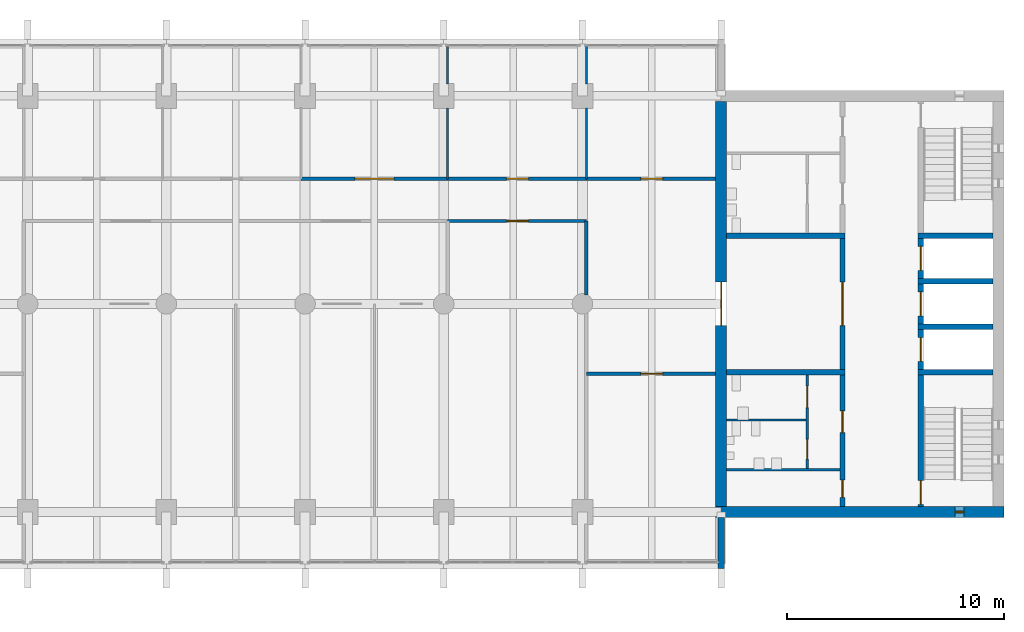
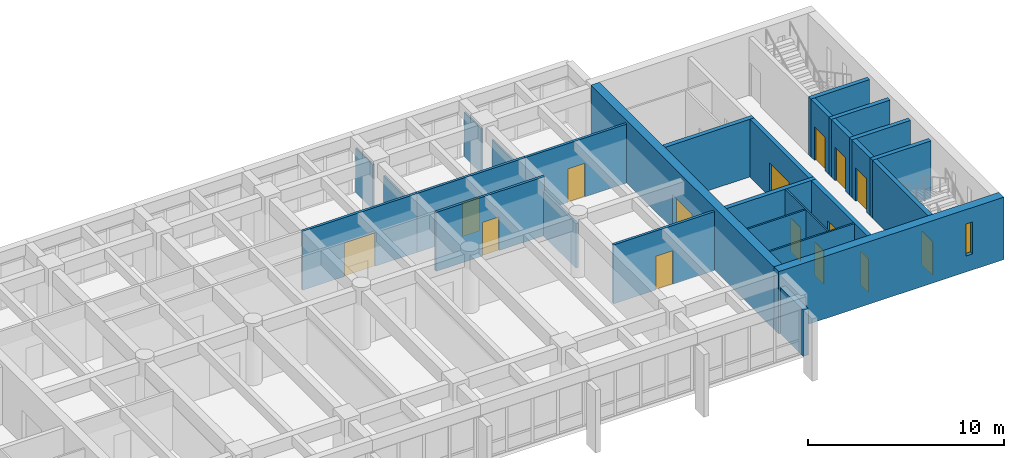
# One storey, part 11 of 15: 28 walls, 15 doors, 1 window, 16 openings.
"""IFC4 building model written with IfcOpenShell, lengths in metres."""

from ifc_helpers import new_model, si_unit, direction, frame, frame_2d, origin, place, context, subcontext, project, spatial, rectangle, extrude, material, layer, layer_set, type_object, element, fill, save


model = new_model("IFC4")

# Units and contexts
model_context = context("Model", 3, precision=1e-05, world=origin(), true_north=direction((0.0, 1.0)))
body_context = subcontext(model_context, "Body", "Model", "MODEL_VIEW")
ifc_project = project(units=[si_unit("LENGTHUNIT", "METRE"), si_unit("AREAUNIT", "SQUARE_METRE"), si_unit("VOLUMEUNIT", "CUBIC_METRE"), si_unit("PLANEANGLEUNIT", "RADIAN"), si_unit("MASSUNIT", "GRAM", prefix="KILO")], contexts=[model_context])

# Site, building, storey
site_placement = place(None, origin())
site = spatial("IfcSite", under=ifc_project, at=site_placement, CompositionType="ELEMENT")
building_placement = place(site_placement, origin())
building = spatial("IfcBuilding", under=site, at=building_placement, Name="Fogon Plaza Fire Station and Headquarters Tower", CompositionType="ELEMENT")
storey_placement = place(building_placement, frame((0.0, 0.0, 40.5)))
storey = spatial("IfcBuildingStorey", under=building, at=storey_placement, Name="L10", CompositionType="ELEMENT", Elevation=40.5)

# Walls
ifc_material_1 = material(Name="Concrete C40", Category="concrete")
ifc_layer_1 = layer(ifc_material_1, 0.25)
ifc_layer_set_1 = layer_set([ifc_layer_1], Name="Concrete C40")
wall_type_1 = type_object("IfcWallType", Name="Core Wall RC 250", PredefinedType="SOLIDWALL", material=ifc_layer_set_1)
for number, where, z_axis, x_axis, name in (
    (1, (76.550048828125, 40.050048828125, 0.0), (0.0, 0.0, 1.0), (-1.0, 0.0, 0.0), "Core B shaft wall"),
    (2, (76.550048828125, 42.14990234375, 0.0), (0.0, 0.0, 1.0), (-1.0, 0.0, 0.0), "Core B shaft wall"),
    (3, (76.550048828125, 44.25, 0.0), (0.0, 0.0, 1.0), (-1.0, 0.0, 0.0), "Core B shaft wall"),
    (4, (76.550048828125, 46.35009765625, 0.0), (0.0, 0.0, 1.0), (-1.0, 0.0, 0.0), "Core B shaft wall"),
):
    element("IfcWall", number, at=place(storey_placement, frame(where, z_axis=z_axis, x_axis=x_axis)), inside=storey, type_object=wall_type_1, Name=name, PredefinedType="SOLIDWALL", context=body_context, shape_type="SweptSolid", body=[
        extrude(rectangle(XDim=3.47509765625, YDim=0.25, at=frame_2d((1.737548828125, 0.0))), origin(), (0.0, 0.0, 1.0), 3.60009765625),
    ])

# Wall, opening, door
wall_1_placement = place(storey_placement, frame((73.199951171875, 33.85009765625, 0.0), z_axis=(0.0, 0.0, 1.0), x_axis=(0.0, 1.0, 0.0)))
wall_1 = element("IfcWall", 5, at=wall_1_placement, inside=storey, type_object=wall_type_1, Name="Core B shaft wall", PredefinedType="SOLIDWALL", context=body_context, shape_type="SweptSolid", body=[
    extrude(rectangle(XDim=6.074951171875, YDim=0.25, at=frame_2d((3.03759765625, 0.0))), origin(), (0.0, 0.0, 1.0), 3.60009765625),
])
opening_1_placement = place(wall_1_placement, frame((0.10009765625, 0.0, 0.0)))
opening_1 = element("IfcOpeningElement", 6, at=opening_1_placement, cuts=wall_1, Name="Opening L10-D15", PredefinedType="OPENING", context=body_context, shape_type="SweptSolid", body=[
    extrude(rectangle(XDim=1.10009765625, YDim=2.10009765625, at=frame_2d((0.550048828125, 1.050048828125))), frame((0.0, 0.135009765625, 0.0), z_axis=(0.0, -1.0, 0.0), x_axis=(1.0, 0.0, 0.0)), (0.0, 0.0, 1.0), 0.27001953125),
])
ifc_material_2 = material(Name="Steel Fire Door Leaf", Category="steel")
door_type_1 = type_object("IfcDoorType", Name="Stair Door Single 1100x2100", OperationType="SINGLE_SWING_LEFT", PredefinedType="DOOR", material=ifc_material_2)
door_1_placement = place(opening_1_placement, frame((1.10009765625, 0.0, 0.0), z_axis=(0.0, 0.0, 1.0), x_axis=(-1.0, 0.0, 0.0)))
door_1 = element("IfcDoor", 7, at=door_1_placement, inside=storey, type_object=door_type_1, Name="Stair door ST3", OperationType="SINGLE_SWING_RIGHT", OverallHeight=2.10009765625, OverallWidth=1.10009765625, PredefinedType="DOOR", context=body_context, shape_type="SweptSolid", body=[
    extrude(rectangle(XDim=1.10009765625, YDim=2.10009765625, at=frame_2d((0.550048828125, 1.050048828125))), frame((0.0, 0.02490234375, 0.0), z_axis=(0.0, -1.0, 0.0), x_axis=(1.0, 0.0, 0.0)), (0.0, 0.0, 1.0), 0.050048828125),
])
fill(opening_1, door_1)

wall_2_placement = place(storey_placement, frame((73.199951171875, 40.175048828125, 0.0), z_axis=(0.0, 0.0, 1.0), x_axis=(0.0, 1.0, 0.0)))
wall_2 = element("IfcWall", 8, at=wall_2_placement, inside=storey, type_object=wall_type_1, Name="Core B shaft wall", PredefinedType="SOLIDWALL", context=body_context, shape_type="SweptSolid", body=[
    extrude(rectangle(XDim=1.849853515625, YDim=0.25, at=frame_2d((0.9248046875, 0.0))), origin(), (0.0, 0.0, 1.0), 3.60009765625),
])
opening_2_placement = place(wall_2_placement, frame((0.375, 0.0, 0.0)))
opening_2 = element("IfcOpeningElement", 9, at=opening_2_placement, cuts=wall_2, Name="Opening L10-D17", PredefinedType="OPENING", context=body_context, shape_type="SweptSolid", body=[
    extrude(rectangle(XDim=1.10009765625, YDim=2.10009765625, at=frame_2d((0.550048828125, 1.050048828125))), frame((0.0, 0.135009765625, 0.0), z_axis=(0.0, -1.0, 0.0), x_axis=(1.0, 0.0, 0.0)), (0.0, 0.0, 1.0), 0.27001953125),
])
ifc_material_3 = material(Name="Stainless Steel", Category="steel")
door_type_2 = type_object("IfcDoorType", Name="Lift Landing Door 1100x2100", OperationType="SLIDING_TO_LEFT", PredefinedType="DOOR", material=ifc_material_3)
door_2_placement = place(opening_2_placement, origin())
door_2 = element("IfcDoor", 10, at=door_2_placement, inside=storey, type_object=door_type_2, Name="Lift LP3 landing door", OperationType="SLIDING_TO_LEFT", OverallHeight=2.10009765625, OverallWidth=1.10009765625, PredefinedType="DOOR", context=body_context, shape_type="SweptSolid", body=[
    extrude(rectangle(XDim=1.10009765625, YDim=2.10009765625, at=frame_2d((0.550048828125, 1.050048828125))), frame((0.0, 0.02490234375, 0.0), z_axis=(0.0, -1.0, 0.0), x_axis=(1.0, 0.0, 0.0)), (0.0, 0.0, 1.0), 0.050048828125),
])
fill(opening_2, door_2)

wall_3_placement = place(storey_placement, frame((73.199951171875, 42.27490234375, 0.0), z_axis=(0.0, 0.0, 1.0), x_axis=(0.0, 1.0, 0.0)))
wall_3 = element("IfcWall", 11, at=wall_3_placement, inside=storey, type_object=wall_type_1, Name="Core B shaft wall", PredefinedType="SOLIDWALL", context=body_context, shape_type="SweptSolid", body=[
    extrude(rectangle(XDim=1.85009765625, YDim=0.25, at=frame_2d((0.925048828125, 0.0))), origin(), (0.0, 0.0, 1.0), 3.60009765625),
])
opening_3_placement = place(wall_3_placement, frame((0.375, 0.0, 0.0)))
opening_3 = element("IfcOpeningElement", 12, at=opening_3_placement, cuts=wall_3, Name="Opening L10-D18", PredefinedType="OPENING", context=body_context, shape_type="SweptSolid", body=[
    extrude(rectangle(XDim=1.10009765625, YDim=2.10009765625, at=frame_2d((0.550048828125, 1.050048828125))), frame((0.0, 0.135009765625, 0.0), z_axis=(0.0, -1.0, 0.0), x_axis=(1.0, 0.0, 0.0)), (0.0, 0.0, 1.0), 0.27001953125),
])
door_3_placement = place(opening_3_placement, origin())
door_3 = element("IfcDoor", 13, at=door_3_placement, inside=storey, type_object=door_type_2, Name="Lift LP4 landing door", OperationType="SLIDING_TO_LEFT", OverallHeight=2.10009765625, OverallWidth=1.10009765625, PredefinedType="DOOR", context=body_context, shape_type="SweptSolid", body=[
    extrude(rectangle(XDim=1.10009765625, YDim=2.10009765625, at=frame_2d((0.550048828125, 1.050048828125))), frame((0.0, 0.02490234375, 0.0), z_axis=(0.0, -1.0, 0.0), x_axis=(1.0, 0.0, 0.0)), (0.0, 0.0, 1.0), 0.050048828125),
])
fill(opening_3, door_3)

wall_4_placement = place(storey_placement, frame((73.199951171875, 44.375, 0.0), z_axis=(0.0, 0.0, 1.0), x_axis=(0.0, 1.0, 0.0)))
wall_4 = element("IfcWall", 14, at=wall_4_placement, inside=storey, type_object=wall_type_1, Name="Core B shaft wall", PredefinedType="SOLIDWALL", context=body_context, shape_type="SweptSolid", body=[
    extrude(rectangle(XDim=1.85009765625, YDim=0.25, at=frame_2d((0.925048828125, 0.0))), origin(), (0.0, 0.0, 1.0), 3.60009765625),
])
opening_4_placement = place(wall_4_placement, frame((0.375, 0.0, 0.0)))
opening_4 = element("IfcOpeningElement", 15, at=opening_4_placement, cuts=wall_4, Name="Opening L10-D19", PredefinedType="OPENING", context=body_context, shape_type="SweptSolid", body=[
    extrude(rectangle(XDim=1.10009765625, YDim=2.10009765625, at=frame_2d((0.550048828125, 1.050048828125))), frame((0.0, 0.135009765625, 0.0), z_axis=(0.0, -1.0, 0.0), x_axis=(1.0, 0.0, 0.0)), (0.0, 0.0, 1.0), 0.27001953125),
])
door_4_placement = place(opening_4_placement, origin())
door_4 = element("IfcDoor", 16, at=door_4_placement, inside=storey, type_object=door_type_2, Name="Lift FL2 landing door", OperationType="SLIDING_TO_LEFT", OverallHeight=2.10009765625, OverallWidth=1.10009765625, PredefinedType="DOOR", context=body_context, shape_type="SweptSolid", body=[
    extrude(rectangle(XDim=1.10009765625, YDim=2.10009765625, at=frame_2d((0.550048828125, 1.050048828125))), frame((0.0, 0.02490234375, 0.0), z_axis=(0.0, -1.0, 0.0), x_axis=(1.0, 0.0, 0.0)), (0.0, 0.0, 1.0), 0.050048828125),
])
fill(opening_4, door_4)

# Wall, openings, doors
wall_5_placement = place(storey_placement, frame((69.60009765625, 33.85009765625, 0.0), z_axis=(0.0, 0.0, 1.0), x_axis=(0.0, 1.0, 0.0)))
wall_5 = element("IfcWall", 17, at=wall_5_placement, inside=storey, type_object=wall_type_1, Name="Core B shaft wall", PredefinedType="SOLIDWALL", context=body_context, shape_type="SweptSolid", body=[
    extrude(rectangle(XDim=6.074951171875, YDim=0.25, at=frame_2d((3.03759765625, 0.0))), origin(), (0.0, 0.0, 1.0), 3.60009765625),
])
opening_5_placement = place(wall_5_placement, frame((0.425048828125, 0.0, 0.0)))
opening_5 = element("IfcOpeningElement", 18, at=opening_5_placement, cuts=wall_5, Name="Opening L10-D22", PredefinedType="OPENING", context=body_context, shape_type="SweptSolid", body=[
    extrude(rectangle(XDim=0.800048828125, YDim=2.10009765625, at=frame_2d((0.39990234375, 1.050048828125))), frame((0.0, 0.135009765625, 0.0), z_axis=(0.0, -1.0, 0.0), x_axis=(1.0, 0.0, 0.0)), (0.0, 0.0, 1.0), 0.27001953125),
])
opening_6_placement = place(wall_5_placement, frame((3.41259765625, 0.0, 0.0)))
opening_6 = element("IfcOpeningElement", 19, at=opening_6_placement, cuts=wall_5, Name="Opening L10-D23", PredefinedType="OPENING", context=body_context, shape_type="SweptSolid", body=[
    extrude(rectangle(XDim=1.0, YDim=2.10009765625, at=frame_2d((0.5, 1.050048828125))), frame((0.0, 0.135009765625, 0.0), z_axis=(0.0, -1.0, 0.0), x_axis=(1.0, 0.0, 0.0)), (0.0, 0.0, 1.0), 0.27001953125),
])
ifc_material_4 = material(Name="Timber Door Leaf", Category="wood")
door_type_3 = type_object("IfcDoorType", Name="Cleaner Store Single 800x2100", OperationType="SINGLE_SWING_LEFT", PredefinedType="DOOR", material=ifc_material_4)
door_5_placement = place(opening_5_placement, origin())
door_5 = element("IfcDoor", 20, at=door_5_placement, inside=storey, type_object=door_type_3, Name="Cleaner's store B door", OperationType="SINGLE_SWING_RIGHT", OverallHeight=2.10009765625, OverallWidth=0.800048828125, PredefinedType="DOOR", context=body_context, shape_type="SweptSolid", body=[
    extrude(rectangle(XDim=0.800048828125, YDim=2.10009765625, at=frame_2d((0.39990234375, 1.050048828125))), frame((0.0, 0.02490234375, 0.0), z_axis=(0.0, -1.0, 0.0), x_axis=(1.0, 0.0, 0.0)), (0.0, 0.0, 1.0), 0.050048828125),
])
fill(opening_5, door_5)
ifc_material_5 = material(Name="Timber fire door", Category="wood")
door_type_4 = type_object("IfcDoorType", Name="WC Lobby Single 1000x2100", OperationType="SINGLE_SWING_LEFT", PredefinedType="DOOR", material=ifc_material_5)
door_6_placement = place(opening_6_placement, origin())
door_6 = element("IfcDoor", 21, at=door_6_placement, inside=storey, type_object=door_type_4, Name="Men's WC lobby B door", OperationType="SINGLE_SWING_LEFT", OverallHeight=2.10009765625, OverallWidth=1.0, PredefinedType="DOOR", context=body_context, shape_type="SweptSolid", body=[
    extrude(rectangle(XDim=1.0, YDim=2.10009765625, at=frame_2d((0.5, 1.050048828125))), frame((0.0, 0.02490234375, 0.0), z_axis=(0.0, -1.0, 0.0), x_axis=(1.0, 0.0, 0.0)), (0.0, 0.0, 1.0), 0.050048828125),
])
fill(opening_6, door_6)

# Wall, opening, door
wall_6_placement = place(storey_placement, frame((69.60009765625, 40.175048828125, 0.0), z_axis=(0.0, 0.0, 1.0), x_axis=(0.0, 1.0, 0.0)))
wall_6 = element("IfcWall", 22, at=wall_6_placement, inside=storey, type_object=wall_type_1, Name="Core B shaft wall", PredefinedType="SOLIDWALL", context=body_context, shape_type="SweptSolid", body=[
    extrude(rectangle(XDim=6.050048828125, YDim=0.25, at=frame_2d((3.02490234375, 0.0))), origin(), (0.0, 0.0, 1.0), 3.60009765625),
])
opening_7_placement = place(wall_6_placement, frame((2.02490234375, 0.0, 0.0)))
opening_7 = element("IfcOpeningElement", 23, at=opening_7_placement, cuts=wall_6, Name="Opening L10-D20", PredefinedType="OPENING", context=body_context, shape_type="SweptSolid", body=[
    extrude(rectangle(XDim=2.0, YDim=2.10009765625, at=frame_2d((1.0, 1.050048828125))), frame((0.0, 0.135009765625, 0.0), z_axis=(0.0, -1.0, 0.0), x_axis=(1.0, 0.0, 0.0)), (0.0, 0.0, 1.0), 0.27001953125),
])
ifc_material_6 = material(Name="Steel Fire Door Leaf", Category="steel")
door_type_5 = type_object("IfcDoorType", Name="Vestibule Double 2000x2100", OperationType="DOUBLE_DOOR_SINGLE_SWING", PredefinedType="DOOR", material=ifc_material_6)
door_7_placement = place(opening_7_placement, origin())
door_7 = element("IfcDoor", 24, at=door_7_placement, inside=storey, type_object=door_type_5, Name="Vestibule B door", OperationType="DOUBLE_DOOR_SINGLE_SWING", OverallHeight=2.10009765625, OverallWidth=2.0, PredefinedType="DOOR", context=body_context, shape_type="SweptSolid", body=[
    extrude(rectangle(XDim=2.0, YDim=2.10009765625, at=frame_2d((1.0, 1.050048828125))), frame((0.0, 0.02490234375, 0.0), z_axis=(0.0, -1.0, 0.0), x_axis=(1.0, 0.0, 0.0)), (0.0, 0.0, 1.0), 0.050048828125),
])
fill(opening_7, door_7)

# Walls
for number, where, z_axis, x_axis, name in (
    (25, (69.72509765625, 40.050048828125, 0.0), (0.0, 0.0, 1.0), (-1.0, 0.0, 0.0), "Core B shaft wall"),
    (26, (69.72509765625, 46.35009765625, 0.0), (0.0, 0.0, 1.0), (-1.0, 0.0, 0.0), "Core B shaft wall"),
):
    element("IfcWall", number, at=place(storey_placement, frame(where, z_axis=z_axis, x_axis=x_axis)), inside=storey, type_object=wall_type_1, Name=name, PredefinedType="SOLIDWALL", context=body_context, shape_type="SweptSolid", body=[
        extrude(rectangle(XDim=5.47509765625, YDim=0.25, at=frame_2d((2.737548828125, 0.0))), origin(), (0.0, 0.0, 1.0), 3.60009765625),
    ])
ifc_material_7 = material(Name="Concrete C40", Category="concrete")
ifc_layer_2 = layer(ifc_material_7, 0.300048828125)
ifc_layer_set_2 = layer_set([ifc_layer_2], Name="Concrete C40")
wall_type_2 = type_object("IfcWallType", Name="Fair-faced RC Return Panel 300", PredefinedType="SOLIDWALL", material=ifc_layer_set_2)
wall_7_placement = place(storey_placement, frame((64.0, 31.0, 0.0), z_axis=(0.0, 0.0, 1.0), x_axis=(0.0, 1.0, 0.0)))
element("IfcWall", 27, at=wall_7_placement, inside=storey, type_object=wall_type_2, Name="Bar end return ES L10", PredefinedType="SOLIDWALL", context=body_context, shape_type="SweptSolid", body=[
    extrude(rectangle(XDim=2.35009765625, YDim=0.300048828125, at=frame_2d((1.175048828125, 0.0))), origin(), (0.0, 0.0, 1.0), 2.8798828125),
])
ifc_material_8 = material(Name="Blockwork", Category="masonry")
ifc_layer_3 = layer(ifc_material_8, 0.10009765625)
ifc_layer_set_3 = layer_set([ifc_layer_3], Name="Blockwork")
wall_type_3 = type_object("IfcWallType", Name="Partition Blockwork 100", PredefinedType="PARTITIONING", material=ifc_layer_set_3)
wall_8_placement = place(storey_placement, frame((69.47509765625, 35.550048828125, 0.0), z_axis=(0.0, 0.0, 1.0), x_axis=(-1.0, 0.0, 0.0)))
element("IfcWall", 28, at=wall_8_placement, inside=storey, type_object=wall_type_3, Name="Cleaner's store partition", PredefinedType="PARTITIONING", context=body_context, shape_type="SweptSolid", body=[
    extrude(rectangle(XDim=5.22509765625, YDim=0.10009765625, at=frame_2d((2.612548828125, 0.0))), origin(), (0.0, 0.0, 1.0), 3.60009765625),
])

# Wall, openings, doors
wall_9_placement = place(storey_placement, frame((67.97509765625, 35.60009765625, 0.0), z_axis=(0.0, 0.0, 1.0), x_axis=(0.0, 1.0, 0.0)))
wall_9 = element("IfcWall", 29, at=wall_9_placement, inside=storey, type_object=wall_type_3, Name="WC block partition", PredefinedType="PARTITIONING", context=body_context, shape_type="SweptSolid", body=[
    extrude(rectangle(XDim=4.324951171875, YDim=0.10009765625, at=frame_2d((2.16259765625, 0.0))), origin(), (0.0, 0.0, 1.0), 3.60009765625),
])
opening_8_placement = place(wall_9_placement, frame((0.449951171875, 0.0, 0.0)))
opening_8 = element("IfcOpeningElement", 30, at=opening_8_placement, cuts=wall_9, Name="Opening L10-D24", PredefinedType="OPENING", context=body_context, shape_type="SweptSolid", body=[
    extrude(rectangle(XDim=0.89990234375, YDim=2.10009765625, at=frame_2d((0.449951171875, 1.050048828125))), frame((0.0, 0.06005859375, 0.0), z_axis=(0.0, -1.0, 0.0), x_axis=(1.0, 0.0, 0.0)), (0.0, 0.0, 1.0), 0.1201171875),
])
opening_9_placement = place(wall_9_placement, frame((2.8125, 0.0, 0.0)))
opening_9 = element("IfcOpeningElement", 31, at=opening_9_placement, cuts=wall_9, Name="Opening L10-D25", PredefinedType="OPENING", context=body_context, shape_type="SweptSolid", body=[
    extrude(rectangle(XDim=1.0, YDim=2.10009765625, at=frame_2d((0.5, 1.050048828125))), frame((0.0, 0.06005859375, 0.0), z_axis=(0.0, -1.0, 0.0), x_axis=(1.0, 0.0, 0.0)), (0.0, 0.0, 1.0), 0.1201171875),
])
ifc_material_9 = material(Name="Timber Door Leaf", Category="wood")
door_type_6 = type_object("IfcDoorType", Name="Accessible WC Single 1000x2100", OperationType="SINGLE_SWING_LEFT", PredefinedType="DOOR", material=ifc_material_9)
door_8_placement = place(opening_9_placement, origin())
door_8 = element("IfcDoor", 32, at=door_8_placement, inside=storey, type_object=door_type_6, Name="Accessible WC B door", OperationType="SINGLE_SWING_LEFT", OverallHeight=2.10009765625, OverallWidth=1.0, PredefinedType="DOOR", context=body_context, shape_type="SweptSolid", body=[
    extrude(rectangle(XDim=1.0, YDim=2.10009765625, at=frame_2d((0.5, 1.050048828125))), frame((0.0, 0.02490234375, 0.0), z_axis=(0.0, -1.0, 0.0), x_axis=(1.0, 0.0, 0.0)), (0.0, 0.0, 1.0), 0.050048828125),
])
fill(opening_9, door_8)
ifc_material_10 = material(Name="Timber Door Leaf", Category="wood")
door_type_7 = type_object("IfcDoorType", Name="WC Single 900x2100", OperationType="SINGLE_SWING_LEFT", PredefinedType="DOOR", material=ifc_material_10)
door_9_placement = place(opening_8_placement, origin())
door_9 = element("IfcDoor", 33, at=door_9_placement, inside=storey, type_object=door_type_7, Name="Men's WC B door", OperationType="SINGLE_SWING_LEFT", OverallHeight=2.10009765625, OverallWidth=0.89990234375, PredefinedType="DOOR", context=body_context, shape_type="SweptSolid", body=[
    extrude(rectangle(XDim=0.89990234375, YDim=2.10009765625, at=frame_2d((0.449951171875, 1.050048828125))), frame((0.0, 0.02490234375, 0.0), z_axis=(0.0, -1.0, 0.0), x_axis=(1.0, 0.0, 0.0)), (0.0, 0.0, 1.0), 0.050048828125),
])
fill(opening_8, door_9)

# Wall
wall_10_placement = place(storey_placement, frame((67.925048828125, 37.85009765625, 0.0), z_axis=(0.0, 0.0, 1.0), x_axis=(-1.0, 0.0, 0.0)))
element("IfcWall", 34, at=wall_10_placement, inside=storey, type_object=wall_type_3, Name="WC block partition", PredefinedType="PARTITIONING", context=body_context, shape_type="SweptSolid", body=[
    extrude(rectangle(XDim=3.675048828125, YDim=0.10009765625, at=frame_2d((1.83740234375, 0.0))), origin(), (0.0, 0.0, 1.0), 3.60009765625),
])

# Wall, opening, window
ifc_material_11 = material(Name="Concrete C40", Category="concrete")
ifc_layer_4 = layer(ifc_material_11, 0.5)
ifc_layer_set_4 = layer_set([ifc_layer_4], Name="Concrete C40")
wall_type_4 = type_object("IfcWallType", Name="Shear wall 500 SW50", PredefinedType="SHEAR", material=ifc_layer_set_4)
wall_11_placement = place(storey_placement, frame((63.75, 33.60009765625, 0.0), z_axis=(0.0, 0.0, 1.0), x_axis=(1.0, 0.0, 0.0)))
wall_11 = element("IfcWall", 35, at=wall_11_placement, inside=storey, type_object=wall_type_4, Name="wall-coreB-S-L10", PredefinedType="SHEAR", context=body_context, shape_type="SweptSolid", body=[
    extrude(rectangle(XDim=13.300048828125, YDim=0.5, at=frame_2d((6.64990234375, 0.0))), origin(), (0.0, 0.0, 1.0), 3.89990234375),
])
opening_10_placement = place(wall_11_placement, frame((11.050048828125, 0.0, 1.0)))
opening_10 = element("IfcOpeningElement", 36, at=opening_10_placement, cuts=wall_11, Name="Opening WS1", PredefinedType="OPENING", context=body_context, shape_type="SweptSolid", body=[
    extrude(rectangle(XDim=0.39990234375, YDim=2.0, at=frame_2d((0.199951171875, 1.0))), frame((0.0, 0.260009765625, 0.0), z_axis=(0.0, -1.0, 0.0), x_axis=(1.0, 0.0, 0.0)), (0.0, 0.0, 1.0), 0.52001953125),
])
ifc_material_12 = material(Name="Aluminium framed double glazing", Category="aluminium")
window_type = type_object("IfcWindowType", Name="Slit Window WS1 400x2000", PartitioningType="SINGLE_PANEL", PredefinedType="WINDOW", material=ifc_material_12)
window_placement = place(opening_10_placement, origin())
window = element("IfcWindow", 37, at=window_placement, inside=storey, type_object=window_type, Name="Slit window B5 L10", OverallHeight=2.0, OverallWidth=0.39990234375, PartitioningType="SINGLE_PANEL", PredefinedType="WINDOW", context=body_context, shape_type="SweptSolid", body=[
    extrude(rectangle(XDim=0.39990234375, YDim=2.0, at=frame_2d((0.199951171875, 1.0))), frame((0.0, 0.030029296875, 0.0), z_axis=(0.0, -1.0, 0.0), x_axis=(1.0, 0.0, 0.0)), (0.0, 0.0, 1.0), 0.06005859375),
])
fill(opening_10, window)

# Wall, opening, door
wall_12_placement = place(storey_placement, frame((64.0, 33.85009765625, 0.0), z_axis=(0.0, 0.0, 1.0), x_axis=(0.0, 1.0, 0.0)))
wall_12 = element("IfcWall", 38, at=wall_12_placement, inside=storey, type_object=wall_type_4, Name="wall-coreB-W-L10", PredefinedType="SHEAR", context=body_context, shape_type="SweptSolid", body=[
    extrude(rectangle(XDim=18.699951171875, YDim=0.5, at=frame_2d((9.35009765625, 0.0))), origin(), (0.0, 0.0, 1.0), 3.89990234375),
])
opening_11_placement = place(wall_12_placement, frame((8.35009765625, 0.0, 0.0)))
opening_11 = element("IfcOpeningElement", 39, at=opening_11_placement, cuts=wall_12, Name="Opening L10-D21", PredefinedType="OPENING", context=body_context, shape_type="SweptSolid", body=[
    extrude(rectangle(XDim=2.0, YDim=2.10009765625, at=frame_2d((1.0, 1.050048828125))), frame((0.0, 0.260009765625, 0.0), z_axis=(0.0, -1.0, 0.0), x_axis=(1.0, 0.0, 0.0)), (0.0, 0.0, 1.0), 0.52001953125),
])
door_10_placement = place(opening_11_placement, frame((2.0, 0.0, 0.0), z_axis=(0.0, 0.0, 1.0), x_axis=(-1.0, 0.0, 0.0)))
door_10 = element("IfcDoor", 40, at=door_10_placement, inside=storey, type_object=door_type_5, Name="Vestibule B door to the office zone", OperationType="DOUBLE_DOOR_SINGLE_SWING", OverallHeight=2.10009765625, OverallWidth=2.0, PredefinedType="DOOR", context=body_context, shape_type="SweptSolid", body=[
    extrude(rectangle(XDim=2.0, YDim=2.10009765625, at=frame_2d((1.0, 1.050048828125))), frame((0.0, 0.02490234375, 0.0), z_axis=(0.0, -1.0, 0.0), x_axis=(1.0, 0.0, 0.0)), (0.0, 0.0, 1.0), 0.050048828125),
])
fill(opening_11, door_10)

ifc_material_13 = material(Name="Gypsum board on steel stud", Category="steel")
ifc_layer_5 = layer(ifc_material_13, 0.14990234375)
ifc_layer_set_5 = layer_set([ifc_layer_5], Name="Gypsum board on steel stud")
wall_type_5 = type_object("IfcWallType", Name="Tower corridor partition 150 EI 60", PredefinedType="PARTITIONING", material=ifc_layer_set_5)
wall_13_placement = place(storey_placement, frame((51.3798828125, 47.02490234375, 0.0), z_axis=(0.0, 0.0, 1.0), x_axis=(1.0, 0.0, 0.0)))
wall_13 = element("IfcWall", 41, at=wall_13_placement, inside=storey, type_object=wall_type_5, Name="part-L10-04", PredefinedType="PARTITIONING", context=body_context, shape_type="SweptSolid", body=[
    extrude(rectangle(XDim=6.400146484375, YDim=0.14990234375, at=frame_2d((3.2001953125, 0.0))), origin(), (0.0, 0.0, 1.0), 3.679931640625),
])
opening_12_placement = place(wall_13_placement, frame((2.719970703125, 0.0, 0.0)))
opening_12 = element("IfcOpeningElement", 42, at=opening_12_placement, cuts=wall_13, Name="Opening L10-D31", PredefinedType="OPENING", context=body_context, shape_type="SweptSolid", body=[
    extrude(rectangle(XDim=1.0, YDim=2.10009765625, at=frame_2d((0.5, 1.050048828125))), frame((0.0, 0.0849609375, 0.0), z_axis=(0.0, -1.0, 0.0), x_axis=(1.0, 0.0, 0.0)), (0.0, 0.0, 1.0), 0.169921875),
])
ifc_material_14 = material(Name="Fire rated glazed door")
door_type_8 = type_object("IfcDoorType", Name="Tower glazed fire door single 1000 EI 20", OperationType="SINGLE_SWING_LEFT", PredefinedType="DOOR", material=ifc_material_14)
door_11_placement = place(opening_12_placement, frame((1.0, 0.0, 0.0), z_axis=(0.0, 0.0, 1.0), x_axis=(-1.0, 0.0, 0.0)))
door_11 = element("IfcDoor", 43, at=door_11_placement, inside=storey, type_object=door_type_8, Name="door-L10-03", OperationType="SINGLE_SWING_RIGHT", OverallHeight=2.10009765625, OverallWidth=1.0, PredefinedType="DOOR", context=body_context, shape_type="SweptSolid", body=[
    extrude(rectangle(XDim=1.0, YDim=2.10009765625, at=frame_2d((0.5, 1.050048828125))), frame((0.0, 0.02490234375, 0.0), z_axis=(0.0, -1.0, 0.0), x_axis=(1.0, 0.0, 0.0)), (0.0, 0.0, 1.0), 0.050048828125),
])
fill(opening_12, door_11)

wall_14_placement = place(storey_placement, frame((44.6201171875, 48.97509765625, 0.0), z_axis=(0.0, 0.0, 1.0), x_axis=(1.0, 0.0, 0.0)))
wall_14 = element("IfcWall", 44, at=wall_14_placement, inside=storey, type_object=wall_type_5, Name="part-L10-09", PredefinedType="PARTITIONING", context=body_context, shape_type="SweptSolid", body=[
    extrude(rectangle(XDim=6.759765625, YDim=0.14990234375, at=frame_2d((3.3798828125, 0.0))), origin(), (0.0, 0.0, 1.0), 3.679931640625),
])
opening_13_placement = place(wall_14_placement, frame((2.47998046875, 0.0, 0.0)))
opening_13 = element("IfcOpeningElement", 45, at=opening_13_placement, cuts=wall_14, Name="Opening L10-D35", PredefinedType="OPENING", context=body_context, shape_type="SweptSolid", body=[
    extrude(rectangle(XDim=1.800048828125, YDim=2.10009765625, at=frame_2d((0.89990234375, 1.050048828125))), frame((0.0, 0.0849609375, 0.0), z_axis=(0.0, -1.0, 0.0), x_axis=(1.0, 0.0, 0.0)), (0.0, 0.0, 1.0), 0.169921875),
])
ifc_material_15 = material(Name="Timber fire door", Category="wood")
door_type_9 = type_object("IfcDoorType", Name="Tower fire door double 1800 EI 20", OperationType="DOUBLE_DOOR_SINGLE_SWING", PredefinedType="DOOR", material=ifc_material_15)
door_12_placement = place(opening_13_placement, origin())
door_12 = element("IfcDoor", 46, at=door_12_placement, inside=storey, type_object=door_type_9, Name="door-L10-07", OperationType="DOUBLE_DOOR_SINGLE_SWING", OverallHeight=2.10009765625, OverallWidth=1.800048828125, PredefinedType="DOOR", context=body_context, shape_type="SweptSolid", body=[
    extrude(rectangle(XDim=1.800048828125, YDim=2.10009765625, at=frame_2d((0.89990234375, 1.050048828125))), frame((0.0, 0.02490234375, 0.0), z_axis=(0.0, -1.0, 0.0), x_axis=(1.0, 0.0, 0.0)), (0.0, 0.0, 1.0), 0.050048828125),
])
fill(opening_13, door_12)

wall_15_placement = place(storey_placement, frame((51.3798828125, 48.97509765625, 0.0), z_axis=(0.0, 0.0, 1.0), x_axis=(1.0, 0.0, 0.0)))
wall_15 = element("IfcWall", 47, at=wall_15_placement, inside=storey, type_object=wall_type_5, Name="part-L10-10", PredefinedType="PARTITIONING", context=body_context, shape_type="SweptSolid", body=[
    extrude(rectangle(XDim=6.400146484375, YDim=0.14990234375, at=frame_2d((3.2001953125, 0.0))), origin(), (0.0, 0.0, 1.0), 3.679931640625),
])
opening_14_placement = place(wall_15_placement, frame((2.719970703125, 0.0, 0.0)))
opening_14 = element("IfcOpeningElement", 48, at=opening_14_placement, cuts=wall_15, Name="Opening L10-D36", PredefinedType="OPENING", context=body_context, shape_type="SweptSolid", body=[
    extrude(rectangle(XDim=1.0, YDim=2.10009765625, at=frame_2d((0.5, 1.050048828125))), frame((0.0, 0.0849609375, 0.0), z_axis=(0.0, -1.0, 0.0), x_axis=(1.0, 0.0, 0.0)), (0.0, 0.0, 1.0), 0.169921875),
])
ifc_material_16 = material(Name="Timber fire door", Category="wood")
door_type_10 = type_object("IfcDoorType", Name="Tower fire door single 1000 EI 20", OperationType="SINGLE_SWING_LEFT", PredefinedType="DOOR", material=ifc_material_16)
door_13_placement = place(opening_14_placement, origin())
door_13 = element("IfcDoor", 49, at=door_13_placement, inside=storey, type_object=door_type_10, Name="door-L10-08", OperationType="SINGLE_SWING_LEFT", OverallHeight=2.10009765625, OverallWidth=1.0, PredefinedType="DOOR", context=body_context, shape_type="SweptSolid", body=[
    extrude(rectangle(XDim=1.0, YDim=2.10009765625, at=frame_2d((0.5, 1.050048828125))), frame((0.0, 0.02490234375, 0.0), z_axis=(0.0, -1.0, 0.0), x_axis=(1.0, 0.0, 0.0)), (0.0, 0.0, 1.0), 0.050048828125),
])
fill(opening_14, door_13)

wall_16_placement = place(storey_placement, frame((57.780029296875, 48.97509765625, 0.0), z_axis=(0.0, 0.0, 1.0), x_axis=(1.0, 0.0, 0.0)))
wall_16 = element("IfcWall", 50, at=wall_16_placement, inside=storey, type_object=wall_type_5, Name="part-L10-11", PredefinedType="PARTITIONING", context=body_context, shape_type="SweptSolid", body=[
    extrude(rectangle(XDim=5.969970703125, YDim=0.14990234375, at=frame_2d((2.98486328125, 0.0))), origin(), (0.0, 0.0, 1.0), 3.679931640625),
])
opening_15_placement = place(wall_16_placement, frame((2.52001953125, 0.0, 0.0)))
opening_15 = element("IfcOpeningElement", 51, at=opening_15_placement, cuts=wall_16, Name="Opening L10-D37", PredefinedType="OPENING", context=body_context, shape_type="SweptSolid", body=[
    extrude(rectangle(XDim=1.0, YDim=2.10009765625, at=frame_2d((0.5, 1.050048828125))), frame((0.0, 0.0849609375, 0.0), z_axis=(0.0, -1.0, 0.0), x_axis=(1.0, 0.0, 0.0)), (0.0, 0.0, 1.0), 0.169921875),
])
door_14_placement = place(opening_15_placement, origin())
door_14 = element("IfcDoor", 52, at=door_14_placement, inside=storey, type_object=door_type_10, Name="door-L10-09", OperationType="SINGLE_SWING_RIGHT", OverallHeight=2.10009765625, OverallWidth=1.0, PredefinedType="DOOR", context=body_context, shape_type="SweptSolid", body=[
    extrude(rectangle(XDim=1.0, YDim=2.10009765625, at=frame_2d((0.5, 1.050048828125))), frame((0.0, 0.02490234375, 0.0), z_axis=(0.0, -1.0, 0.0), x_axis=(1.0, 0.0, 0.0)), (0.0, 0.0, 1.0), 0.050048828125),
])
fill(opening_15, door_14)

wall_17_placement = place(storey_placement, frame((57.780029296875, 39.97509765625, 0.0), z_axis=(0.0, 0.0, 1.0), x_axis=(1.0, 0.0, 0.0)))
wall_17 = element("IfcWall", 53, at=wall_17_placement, inside=storey, type_object=wall_type_5, Name="part-L10-27", PredefinedType="PARTITIONING", context=body_context, shape_type="SweptSolid", body=[
    extrude(rectangle(XDim=5.969970703125, YDim=0.14990234375, at=frame_2d((2.98486328125, 0.0))), origin(), (0.0, 0.0, 1.0), 3.679931640625),
])
opening_16_placement = place(wall_17_placement, frame((2.52001953125, 0.0, 0.0)))
opening_16 = element("IfcOpeningElement", 54, at=opening_16_placement, cuts=wall_17, Name="Opening L10-D39", PredefinedType="OPENING", context=body_context, shape_type="SweptSolid", body=[
    extrude(rectangle(XDim=1.0, YDim=2.10009765625, at=frame_2d((0.5, 1.050048828125))), frame((0.0, 0.0849609375, 0.0), z_axis=(0.0, -1.0, 0.0), x_axis=(1.0, 0.0, 0.0)), (0.0, 0.0, 1.0), 0.169921875),
])
door_15_placement = place(opening_16_placement, frame((1.0, 0.0, 0.0), z_axis=(0.0, 0.0, 1.0), x_axis=(-1.0, 0.0, 0.0)))
door_15 = element("IfcDoor", 55, at=door_15_placement, inside=storey, type_object=door_type_10, Name="door-L10-11", OperationType="SINGLE_SWING_LEFT", OverallHeight=2.10009765625, OverallWidth=1.0, PredefinedType="DOOR", context=body_context, shape_type="SweptSolid", body=[
    extrude(rectangle(XDim=1.0, YDim=2.10009765625, at=frame_2d((0.5, 1.050048828125))), frame((0.0, 0.02490234375, 0.0), z_axis=(0.0, -1.0, 0.0), x_axis=(1.0, 0.0, 0.0)), (0.0, 0.0, 1.0), 0.050048828125),
])
fill(opening_16, door_15)

# Walls
ifc_material_17 = material(Name="Gypsum board on steel stud", Category="steel")
ifc_layer_6 = layer(ifc_material_17, 0.14990234375)
ifc_layer_set_6 = layer_set([ifc_layer_6], Name="Gypsum board on steel stud")
wall_type_6 = type_object("IfcWallType", Name="Tower corridor partition 150 EI 60 Beam Head 900", PredefinedType="PARTITIONING", material=ifc_layer_set_6)
wall_18_placement = place(storey_placement, frame((57.780029296875, 43.61962890625, 0.0), z_axis=(0.0, 0.0, 1.0), x_axis=(0.0, 1.0, 0.0)))
element("IfcWall", 56, at=wall_18_placement, inside=storey, type_object=wall_type_6, Name="part-L10-30", PredefinedType="PARTITIONING", context=body_context, shape_type="SweptSolid", body=[
    extrude(rectangle(XDim=3.4052734375, YDim=0.14990234375, at=frame_2d((1.70263671875, 0.0))), origin(), (0.0, 0.0, 1.0), 2.780029296875),
])
ifc_material_18 = material(Name="Gypsum board on steel stud", Category="steel")
ifc_layer_7 = layer(ifc_material_18, 0.10009765625)
ifc_layer_set_7 = layer_set([ifc_layer_7], Name="Gypsum board on steel stud")
wall_type_7 = type_object("IfcWallType", Name="Tower office partition 100 Beam Head 900", PredefinedType="PARTITIONING", material=ifc_layer_set_7)
wall_19_placement = place(storey_placement, frame((51.3798828125, 48.97509765625, 0.0), z_axis=(0.0, 0.0, 1.0), x_axis=(0.0, 1.0, 0.0)))
element("IfcWall", 57, at=wall_19_placement, inside=storey, type_object=wall_type_7, Name="part-L10-18", PredefinedType="PARTITIONING", context=body_context, shape_type="SweptSolid", body=[
    extrude(rectangle(XDim=3.27001953125, YDim=0.10009765625, at=frame_2d((1.635009765625, 0.0))), origin(), (0.0, 0.0, 1.0), 2.780029296875),
])
wall_20_placement = place(storey_placement, frame((51.3798828125, 53.35498046875, 0.0), z_axis=(0.0, 0.0, 1.0), x_axis=(0.0, 1.0, 0.0)))
element("IfcWall", 58, at=wall_20_placement, inside=storey, type_object=wall_type_7, Name="part-L10-19", PredefinedType="PARTITIONING", context=body_context, shape_type="SweptSolid", body=[
    extrude(rectangle(XDim=1.7451171875, YDim=0.10009765625, at=frame_2d((0.87255859375, 0.0))), origin(), (0.0, 0.0, 1.0), 2.780029296875),
])
wall_21_placement = place(storey_placement, frame((57.780029296875, 48.97509765625, 0.0), z_axis=(0.0, 0.0, 1.0), x_axis=(0.0, 1.0, 0.0)))
element("IfcWall", 59, at=wall_21_placement, inside=storey, type_object=wall_type_7, Name="part-L10-20", PredefinedType="PARTITIONING", context=body_context, shape_type="SweptSolid", body=[
    extrude(rectangle(XDim=3.27001953125, YDim=0.10009765625, at=frame_2d((1.635009765625, 0.0))), origin(), (0.0, 0.0, 1.0), 2.780029296875),
])
wall_22_placement = place(storey_placement, frame((57.780029296875, 53.35498046875, 0.0), z_axis=(0.0, 0.0, 1.0), x_axis=(0.0, 1.0, 0.0)))
element("IfcWall", 60, at=wall_22_placement, inside=storey, type_object=wall_type_7, Name="part-L10-21", PredefinedType="PARTITIONING", context=body_context, shape_type="SweptSolid", body=[
    extrude(rectangle(XDim=1.7451171875, YDim=0.10009765625, at=frame_2d((0.87255859375, 0.0))), origin(), (0.0, 0.0, 1.0), 2.780029296875),
])

save(model, "model.ifc")
